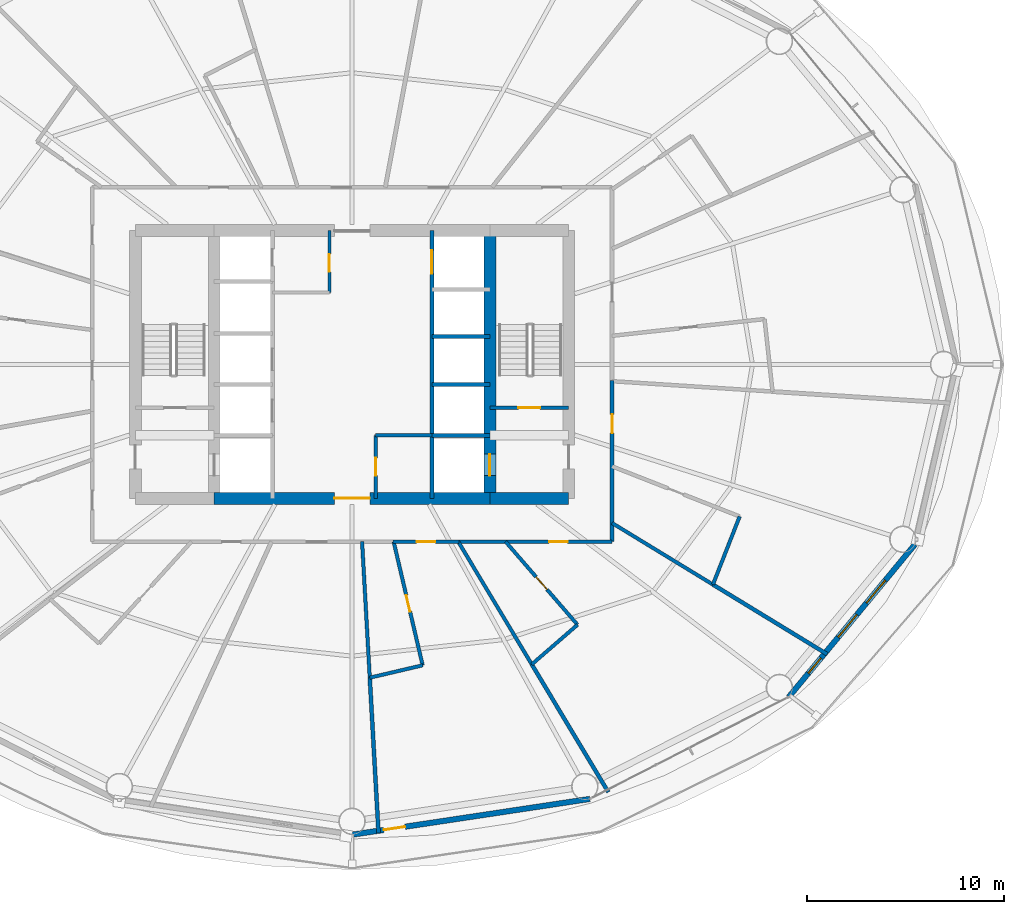
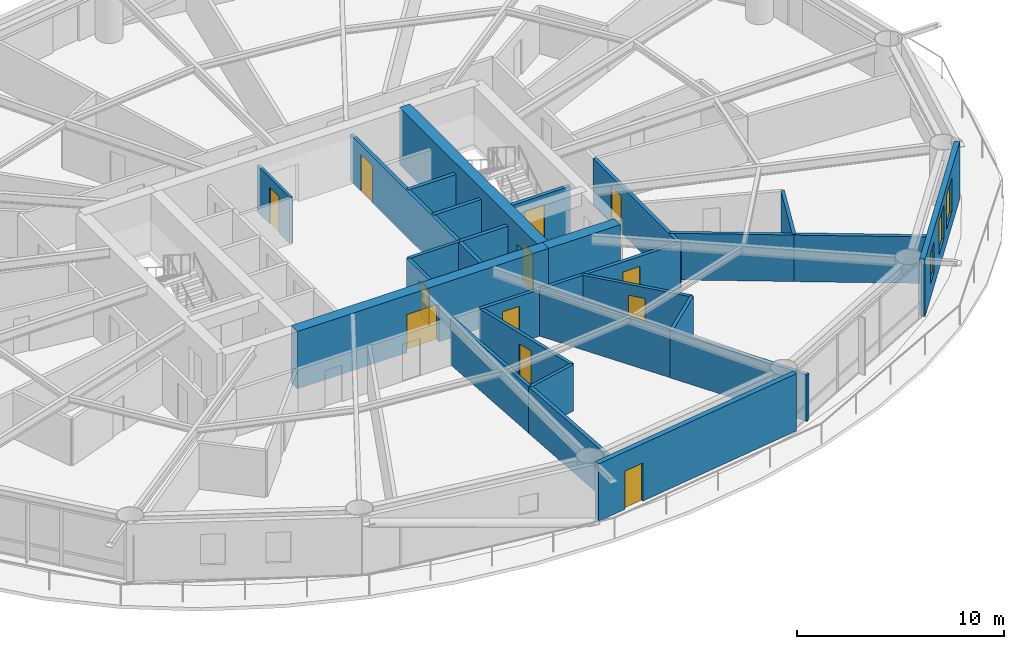
# One storey, part 21 of 26: 28 walls, 12 doors, 3 windows, 15 openings.
"""IFC4 building model written with IfcOpenShell, lengths in metres."""

from ifc_helpers import new_model, si_unit, direction, frame, frame_2d, origin, place, context, subcontext, project, spatial, rectangle, extrude, material, layer, layer_set, type_object, element, fill, save


model = new_model("IFC4")

# Units and contexts
model_context = context("Model", 3, precision=1e-05, world=origin(), true_north=direction((0.0, 1.0)))
body_context = subcontext(model_context, "Body", "Model", "MODEL_VIEW")
ifc_project = project(units=[si_unit("LENGTHUNIT", "METRE"), si_unit("AREAUNIT", "SQUARE_METRE"), si_unit("VOLUMEUNIT", "CUBIC_METRE"), si_unit("PLANEANGLEUNIT", "RADIAN"), si_unit("MASSUNIT", "GRAM", prefix="KILO")], contexts=[model_context])

# Site, building, storey
site_placement = place(None, origin())
site = spatial("IfcSite", under=ifc_project, at=site_placement, CompositionType="ELEMENT")
building_placement = place(site_placement, origin())
building = spatial("IfcBuilding", under=site, at=building_placement, Name="Sarneth Arch Tower", CompositionType="ELEMENT")
storey_placement = place(building_placement, frame((0.0, 0.0, 49.800048828125)))
storey = spatial("IfcBuildingStorey", under=building, at=storey_placement, Name="L11", CompositionType="ELEMENT", Elevation=49.800048828125)

# Wall, opening, door
ifc_material_1 = material(Name="Concrete C60/75", Category="concrete")
ifc_layer_1 = layer(ifc_material_1, 0.60009765625)
ifc_layer_set_1 = layer_set([ifc_layer_1], Name="Concrete C60/75")
wall_type_1 = type_object("IfcWallType", Name="WALL-CORE-600", PredefinedType="SHEAR", material=ifc_layer_set_1)
wall_1_placement = place(storey_placement, frame((41.0, 35.199951171875, 0.0), z_axis=(0.0, 0.0, 1.0), x_axis=(1.0, 0.0, 0.0)))
wall_1 = element("IfcWall", 1, at=wall_1_placement, inside=storey, type_object=wall_type_1, Name="L11 Core shear wall S-M", PredefinedType="SHEAR", context=body_context, shape_type="SweptSolid", body=[
    extrude(rectangle(XDim=14.0, YDim=0.60009765625, at=frame_2d((7.0, 0.0))), origin(), (0.0, 0.0, 1.0), 3.3798828125),
])
opening_1_placement = place(wall_1_placement, frame((6.10009765625, 0.0, 0.0)))
opening_1 = element("IfcOpeningElement", 2, at=opening_1_placement, cuts=wall_1, Name="Opening FD-01", PredefinedType="OPENING", context=body_context, shape_type="SweptSolid", body=[
    extrude(rectangle(XDim=1.800048828125, YDim=2.25, at=frame_2d((0.89990234375, 1.125))), frame((0.0, 0.31005859375, 0.0), z_axis=(0.0, -1.0, 0.0), x_axis=(1.0, 0.0, 0.0)), (0.0, 0.0, 1.0), 0.6201171875),
])
ifc_material_2 = material(Name="Galvanised Steel S275 fire door set", Category="steel")
door_type_1 = type_object("IfcDoorType", Name="DR-FD90-1800", OperationType="DOUBLE_DOOR_SINGLE_SWING", PredefinedType="DOOR", material=ifc_material_2)
door_1_placement = place(opening_1_placement, origin())
door_1 = element("IfcDoor", 3, at=door_1_placement, inside=storey, type_object=door_type_1, Name="L11 Central lift lobby south door", OperationType="DOUBLE_DOOR_SINGLE_SWING", OverallHeight=2.25, OverallWidth=1.800048828125, PredefinedType="DOOR", context=body_context, shape_type="SweptSolid", body=[
    extrude(rectangle(XDim=1.800048828125, YDim=2.25, at=frame_2d((0.89990234375, 1.125))), frame((0.0, 0.02490234375, 0.0), z_axis=(0.0, -1.0, 0.0), x_axis=(1.0, 0.0, 0.0)), (0.0, 0.0, 1.0), 0.050048828125),
])
fill(opening_1, door_1)

# Wall
wall_2_placement = place(storey_placement, frame((55.0, 35.199951171875, 0.0), z_axis=(0.0, 0.0, 1.0), x_axis=(1.0, 0.0, 0.0)))
element("IfcWall", 4, at=wall_2_placement, inside=storey, type_object=wall_type_1, Name="L11 Core shear wall S-E", PredefinedType="SHEAR", context=body_context, shape_type="SweptSolid", body=[
    extrude(rectangle(XDim=4.0, YDim=0.60009765625, at=frame_2d((2.0, 0.0))), origin(), (0.0, 0.0, 1.0), 3.3798828125),
])

# Wall, opening, door
wall_3_placement = place(storey_placement, frame((55.0, 35.199951171875, 0.0), z_axis=(0.0, 0.0, 1.0), x_axis=(0.0, 1.0, 0.0)))
wall_3 = element("IfcWall", 5, at=wall_3_placement, inside=storey, type_object=wall_type_1, Name="L11 Core shear wall WEB-E", PredefinedType="SHEAR", context=body_context, shape_type="SweptSolid", body=[
    extrude(rectangle(XDim=13.60009765625, YDim=0.60009765625, at=frame_2d((6.800048828125, 0.0))), origin(), (0.0, 0.0, 1.0), 3.3798828125),
])
opening_2_placement = place(wall_3_placement, frame((1.14990234375, 0.0, 0.0)))
opening_2 = element("IfcOpeningElement", 6, at=opening_2_placement, cuts=wall_3, Name="Opening LD-1", PredefinedType="OPENING", context=body_context, shape_type="SweptSolid", body=[
    extrude(rectangle(XDim=1.10009765625, YDim=2.199951171875, at=frame_2d((0.550048828125, 1.10009765625))), frame((0.0, 0.31005859375, 0.0), z_axis=(0.0, -1.0, 0.0), x_axis=(1.0, 0.0, 0.0)), (0.0, 0.0, 1.0), 0.6201171875),
])
ifc_material_3 = material(Name="Brushed Stainless Steel 304 lift landing door", Category="steel")
door_type_2 = type_object("IfcDoorType", Name="DR-LIFT-SLIDE-1100", OperationType="SLIDING_TO_LEFT", PredefinedType="DOOR", material=ifc_material_3)
door_2_placement = place(opening_2_placement, origin())
door_2 = element("IfcDoor", 7, at=door_2_placement, inside=storey, type_object=door_type_2, Name="L11 Firefighting lift landing door FL-2", OperationType="SLIDING_TO_RIGHT", OverallHeight=2.199951171875, OverallWidth=1.10009765625, PredefinedType="DOOR", context=body_context, shape_type="SweptSolid", body=[
    extrude(rectangle(XDim=1.10009765625, YDim=2.199951171875, at=frame_2d((0.550048828125, 1.10009765625))), frame((0.0, 0.02490234375, 0.0), z_axis=(0.0, -1.0, 0.0), x_axis=(1.0, 0.0, 0.0)), (0.0, 0.0, 1.0), 0.050048828125),
])
fill(opening_2, door_2)

ifc_material_4 = material(Name="Double steel-stud corridor fire wall", Category="steel")
ifc_layer_2 = layer(ifc_material_4, 0.18994140625)
ifc_layer_set_2 = layer_set([ifc_layer_2], Name="Double steel-stud corridor fire wall")
wall_type_2 = type_object("IfcWallType", Name="WALL-CORR-190", PredefinedType="PARTITIONING", material=ifc_layer_set_2)
wall_4_placement = place(storey_placement, frame((61.199951171875, 33.0, 0.0), z_axis=(0.0, 0.0, 1.0), x_axis=(-1.0, 0.0, 0.0)))
wall_4 = element("IfcWall", 8, at=wall_4_placement, inside=storey, type_object=wall_type_2, Name="L11 Interior partition W-L11-TP-022", PredefinedType="PARTITIONING", context=body_context, shape_type="SweptSolid", body=[
    extrude(rectangle(XDim=7.845947265625, YDim=0.18994140625, at=frame_2d((3.9228515625, 0.0))), origin(), (0.0, 0.0, 1.0), 2.739990234375),
])
opening_3_placement = place(wall_4_placement, frame((2.249267578125, 0.0, 0.0)))
opening_3 = element("IfcOpeningElement", 9, at=opening_3_placement, cuts=wall_4, Name="Opening FD-09", PredefinedType="OPENING", context=body_context, shape_type="SweptSolid", body=[
    extrude(rectangle(XDim=0.949951171875, YDim=2.14990234375, at=frame_2d((0.47509765625, 1.074951171875))), frame((0.0, 0.10498046875, 0.0), z_axis=(0.0, -1.0, 0.0), x_axis=(1.0, 0.0, 0.0)), (0.0, 0.0, 1.0), 0.2099609375),
])
ifc_material_5 = material(Name="Hardwood timber hotel entrance fire door", Category="wood")
door_type_3 = type_object("IfcDoorType", Name="DR-FD60-950", OperationType="SINGLE_SWING_RIGHT", PredefinedType="DOOR", material=ifc_material_5)
door_3_placement = place(opening_3_placement, origin())
door_3 = element("IfcDoor", 10, at=door_3_placement, inside=storey, type_object=door_type_3, Name="L11 Interior door DR-L11-KEY-11", OperationType="SINGLE_SWING_LEFT", OverallHeight=2.14990234375, OverallWidth=0.949951171875, PredefinedType="DOOR", context=body_context, shape_type="SweptSolid", body=[
    extrude(rectangle(XDim=0.949951171875, YDim=2.14990234375, at=frame_2d((0.47509765625, 1.074951171875))), frame((0.0, 0.02490234375, 0.0), z_axis=(0.0, -1.0, 0.0), x_axis=(1.0, 0.0, 0.0)), (0.0, 0.0, 1.0), 0.050048828125),
])
fill(opening_3, door_3)

wall_5_placement = place(storey_placement, frame((61.199951171875, 41.180419921875, 0.0), z_axis=(0.0, 0.0, 1.0), x_axis=(0.0, -1.0, 0.0)))
wall_5 = element("IfcWall", 11, at=wall_5_placement, inside=storey, type_object=wall_type_2, Name="L11 Interior partition W-L11-TP-024", PredefinedType="PARTITIONING", context=body_context, shape_type="SweptSolid", body=[
    extrude(rectangle(XDim=8.180419921875, YDim=0.18994140625, at=frame_2d((4.09033203125, 0.0))), origin(), (0.0, 0.0, 1.0), 2.739990234375),
])
opening_4_placement = place(wall_5_placement, frame((1.720947265625, 0.0, 0.0)))
opening_4 = element("IfcOpeningElement", 12, at=opening_4_placement, cuts=wall_5, Name="Opening FD-09", PredefinedType="OPENING", context=body_context, shape_type="SweptSolid", body=[
    extrude(rectangle(XDim=0.949951171875, YDim=2.14990234375, at=frame_2d((0.47509765625, 1.074951171875))), frame((0.0, 0.10498046875, 0.0), z_axis=(0.0, -1.0, 0.0), x_axis=(1.0, 0.0, 0.0)), (0.0, 0.0, 1.0), 0.2099609375),
])
door_4_placement = place(opening_4_placement, origin())
door_4 = element("IfcDoor", 13, at=door_4_placement, inside=storey, type_object=door_type_3, Name="L11 Interior door DR-L11-KEY-12", OperationType="SINGLE_SWING_RIGHT", OverallHeight=2.14990234375, OverallWidth=0.949951171875, PredefinedType="DOOR", context=body_context, shape_type="SweptSolid", body=[
    extrude(rectangle(XDim=0.949951171875, YDim=2.14990234375, at=frame_2d((0.47509765625, 1.074951171875))), frame((0.0, 0.02490234375, 0.0), z_axis=(0.0, -1.0, 0.0), x_axis=(1.0, 0.0, 0.0)), (0.0, 0.0, 1.0), 0.050048828125),
])
fill(opening_4, door_4)

wall_6_placement = place(storey_placement, frame((53.4287109375, 33.0, 0.0), z_axis=(0.0, 0.0, 1.0), x_axis=(-1.0, 0.0, 0.0)))
wall_6 = element("IfcWall", 14, at=wall_6_placement, inside=storey, type_object=wall_type_2, Name="L11 Interior partition W-L11-TP-019", PredefinedType="PARTITIONING", context=body_context, shape_type="SweptSolid", body=[
    extrude(rectangle(XDim=3.350830078125, YDim=0.18994140625, at=frame_2d((1.67529296875, 0.0))), origin(), (0.0, 0.0, 1.0), 2.739990234375),
])
opening_5_placement = place(wall_6_placement, frame((1.2001953125, 0.0, 0.0)))
opening_5 = element("IfcOpeningElement", 15, at=opening_5_placement, cuts=wall_6, Name="Opening FD-09", PredefinedType="OPENING", context=body_context, shape_type="SweptSolid", body=[
    extrude(rectangle(XDim=0.949951171875, YDim=2.14990234375, at=frame_2d((0.47509765625, 1.074951171875))), frame((0.0, 0.10498046875, 0.0), z_axis=(0.0, -1.0, 0.0), x_axis=(1.0, 0.0, 0.0)), (0.0, 0.0, 1.0), 0.2099609375),
])
door_5_placement = place(opening_5_placement, origin())
door_5 = element("IfcDoor", 16, at=door_5_placement, inside=storey, type_object=door_type_3, Name="L11 Interior door DR-L11-KEY-10", OperationType="SINGLE_SWING_LEFT", OverallHeight=2.14990234375, OverallWidth=0.949951171875, PredefinedType="DOOR", context=body_context, shape_type="SweptSolid", body=[
    extrude(rectangle(XDim=0.949951171875, YDim=2.14990234375, at=frame_2d((0.47509765625, 1.074951171875))), frame((0.0, 0.02490234375, 0.0), z_axis=(0.0, -1.0, 0.0), x_axis=(1.0, 0.0, 0.0)), (0.0, 0.0, 1.0), 0.050048828125),
])
fill(opening_5, door_5)

ifc_material_6 = material(Name="Extruded terracotta rainscreen on Concrete C40/50 backing", Category="masonry")
ifc_layer_3 = layer(ifc_material_6, 0.280029296875)
ifc_layer_set_3 = layer_set([ifc_layer_3], Name="Extruded terracotta rainscreen on Concrete C40/50 backing")
wall_type_3 = type_object("IfcWallType", Name="WALL-EXT-TERRA-280", PredefinedType="SOLIDWALL", material=ifc_layer_set_3)
wall_7_placement = place(storey_placement, frame((48.0, 18.1201171875, 0.0), z_axis=(0.0, 0.0, 1.0), x_axis=(0.988864835849, 0.148816452121, 0.0)))
wall_7 = element("IfcWall", 17, at=wall_7_placement, inside=storey, type_object=wall_type_3, Name="L11 Terracotta perimeter wall 13", PredefinedType="SOLIDWALL", context=body_context, shape_type="SweptSolid", body=[
    extrude(rectangle(XDim=12.2138671875, YDim=0.280029296875, at=frame_2d((6.10693359375, 0.0))), origin(), (0.0, 0.0, 1.0), 3.3798828125),
])
opening_6_placement = place(wall_7_placement, frame((1.62060546875, 0.0, 0.0)))
opening_6 = element("IfcOpeningElement", 18, at=opening_6_placement, cuts=wall_7, Name="Opening BD-3", PredefinedType="OPENING", context=body_context, shape_type="SweptSolid", body=[
    extrude(rectangle(XDim=1.10009765625, YDim=2.25, at=frame_2d((0.550048828125, 1.125))), frame((0.0, 0.14990234375, 0.0), z_axis=(0.0, -1.0, 0.0), x_axis=(1.0, 0.0, 0.0)), (0.0, 0.0, 1.0), 0.300048828125),
])
ifc_material_7 = material(Name="Thermally broken Aluminium 6063-T6 and laminated safety glass", Category="aluminium")
door_type_4 = type_object("IfcDoorType", Name="DR-BALC-GLZ-1100", OperationType="SINGLE_SWING_LEFT", PredefinedType="DOOR", material=ifc_material_7)
door_6_placement = place(opening_6_placement, origin())
door_6 = element("IfcDoor", 19, at=door_6_placement, inside=storey, type_object=door_type_4, Name="L11 Balcony glazed door 13", OperationType="SINGLE_SWING_LEFT", OverallHeight=2.25, OverallWidth=1.10009765625, PredefinedType="DOOR", context=body_context, shape_type="SweptSolid", body=[
    extrude(rectangle(XDim=1.10009765625, YDim=2.25, at=frame_2d((0.550048828125, 1.125))), frame((0.0, 0.02490234375, 0.0), z_axis=(0.0, -1.0, 0.0), x_axis=(1.0, 0.0, 0.0)), (0.0, 0.0, 1.0), 0.050048828125),
])
fill(opening_6, door_6)

# Wall, openings, windows
wall_8_placement = place(storey_placement, frame((70.174072265625, 25.1142578125, 0.0), z_axis=(0.0, 0.0, 1.0), x_axis=(0.637296809613, 0.770618437657, 0.0)))
wall_8 = element("IfcWall", 20, at=wall_8_placement, inside=storey, type_object=wall_type_3, Name="L11 Terracotta perimeter wall 15", PredefinedType="SOLIDWALL", context=body_context, shape_type="SweptSolid", body=[
    extrude(rectangle(XDim=10.053466796875, YDim=0.280029296875, at=frame_2d((5.02685546875, 0.0))), origin(), (0.0, 0.0, 1.0), 3.3798828125),
])
opening_7_placement = place(wall_8_placement, frame((1.565185546875, 0.0, 0.85009765625)))
opening_7 = element("IfcOpeningElement", 21, at=opening_7_placement, cuts=wall_8, Name="Opening W-11", PredefinedType="OPENING", context=body_context, shape_type="SweptSolid", body=[
    extrude(rectangle(XDim=1.0, YDim=1.800048828125, at=frame_2d((0.5, 0.89990234375))), frame((0.0, 0.14990234375, 0.0), z_axis=(0.0, -1.0, 0.0), x_axis=(1.0, 0.0, 0.0)), (0.0, 0.0, 1.0), 0.300048828125),
])
opening_8_placement = place(wall_8_placement, frame((3.929931640625, 0.0, 0.85009765625)))
opening_8 = element("IfcOpeningElement", 22, at=opening_8_placement, cuts=wall_8, Name="Opening W-06", PredefinedType="OPENING", context=body_context, shape_type="SweptSolid", body=[
    extrude(rectangle(XDim=1.5, YDim=2.0, at=frame_2d((0.75, 1.0))), frame((0.0, 0.14990234375, 0.0), z_axis=(0.0, -1.0, 0.0), x_axis=(1.0, 0.0, 0.0)), (0.0, 0.0, 1.0), 0.300048828125),
])
opening_9_placement = place(wall_8_placement, frame((6.19580078125, 0.0, 0.85009765625)))
opening_9 = element("IfcOpeningElement", 23, at=opening_9_placement, cuts=wall_8, Name="Opening W-06", PredefinedType="OPENING", context=body_context, shape_type="SweptSolid", body=[
    extrude(rectangle(XDim=1.5, YDim=2.0, at=frame_2d((0.75, 1.0))), frame((0.0, 0.14990234375, 0.0), z_axis=(0.0, -1.0, 0.0), x_axis=(1.0, 0.0, 0.0)), (0.0, 0.0, 1.0), 0.300048828125),
])
ifc_material_8 = material(Name="Thermally broken Aluminium 6063-T6 and low-e laminated IGU", Category="aluminium")
window_type_1 = type_object("IfcWindowType", Name="WIN-TWR-1000x1800", PartitioningType="SINGLE_PANEL", PredefinedType="WINDOW", material=ifc_material_8)
window_1_placement = place(opening_7_placement, origin())
window_1 = element("IfcWindow", 24, at=window_1_placement, inside=storey, type_object=window_type_1, Name="L11 Exterior window 15A", OverallHeight=1.800048828125, OverallWidth=1.0, PartitioningType="SINGLE_PANEL", PredefinedType="WINDOW", context=body_context, shape_type="SweptSolid", body=[
    extrude(rectangle(XDim=1.0, YDim=1.800048828125, at=frame_2d((0.5, 0.89990234375))), frame((0.0, 0.030029296875, 0.0), z_axis=(0.0, -1.0, 0.0), x_axis=(1.0, 0.0, 0.0)), (0.0, 0.0, 1.0), 0.06005859375),
])
fill(opening_7, window_1)
ifc_material_9 = material(Name="Thermally broken Aluminium 6063-T6 and low-e laminated IGU", Category="aluminium")
window_type_2 = type_object("IfcWindowType", Name="WIN-TWR-1500x2000", PartitioningType="SINGLE_PANEL", PredefinedType="WINDOW", material=ifc_material_9)
window_2_placement = place(opening_8_placement, origin())
window_2 = element("IfcWindow", 25, at=window_2_placement, inside=storey, type_object=window_type_2, Name="L11 Exterior window 15B", OverallHeight=2.0, OverallWidth=1.5, PartitioningType="SINGLE_PANEL", PredefinedType="WINDOW", context=body_context, shape_type="SweptSolid", body=[
    extrude(rectangle(XDim=1.5, YDim=2.0, at=frame_2d((0.75, 1.0))), frame((0.0, 0.030029296875, 0.0), z_axis=(0.0, -1.0, 0.0), x_axis=(1.0, 0.0, 0.0)), (0.0, 0.0, 1.0), 0.06005859375),
])
fill(opening_8, window_2)
window_3_placement = place(opening_9_placement, origin())
window_3 = element("IfcWindow", 26, at=window_3_placement, inside=storey, type_object=window_type_2, Name="L11 Exterior window 15C", OverallHeight=2.0, OverallWidth=1.5, PartitioningType="SINGLE_PANEL", PredefinedType="WINDOW", context=body_context, shape_type="SweptSolid", body=[
    extrude(rectangle(XDim=1.5, YDim=2.0, at=frame_2d((0.75, 1.0))), frame((0.0, 0.030029296875, 0.0), z_axis=(0.0, -1.0, 0.0), x_axis=(1.0, 0.0, 0.0)), (0.0, 0.0, 1.0), 0.06005859375),
])
fill(opening_9, window_3)

# Wall, opening, door
ifc_material_10 = material(Name="Acoustic gypsum stud partition", Category="gypsum")
ifc_layer_4 = layer(ifc_material_10, 0.14990234375)
ifc_layer_set_4 = layer_set([ifc_layer_4], Name="Acoustic gypsum stud partition")
wall_type_4 = type_object("IfcWallType", Name="WALL-PART-150", PredefinedType="PARTITIONING", material=ifc_layer_set_4)
wall_9_placement = place(storey_placement, frame((46.85009765625, 45.64990234375, 0.0), z_axis=(0.0, 0.0, 1.0), x_axis=(0.0, 1.0, 0.0)))
wall_9 = element("IfcWall", 27, at=wall_9_placement, inside=storey, type_object=wall_type_4, Name="L11 Interior partition W-L11-CSUP1-E", PredefinedType="PARTITIONING", context=body_context, shape_type="SweptSolid", body=[
    extrude(rectangle(XDim=3.150146484375, YDim=0.14990234375, at=frame_2d((1.5751953125, 0.0))), origin(), (0.0, 0.0, 1.0), 2.739990234375),
])
opening_10_placement = place(wall_9_placement, frame((1.050048828125, 0.0, 0.0)))
opening_10 = element("IfcOpeningElement", 28, at=opening_10_placement, cuts=wall_9, Name="Opening FD-10", PredefinedType="OPENING", context=body_context, shape_type="SweptSolid", body=[
    extrude(rectangle(XDim=0.89990234375, YDim=2.14990234375, at=frame_2d((0.449951171875, 1.074951171875))), frame((0.0, 0.0849609375, 0.0), z_axis=(0.0, -1.0, 0.0), x_axis=(1.0, 0.0, 0.0)), (0.0, 0.0, 1.0), 0.169921875),
])
ifc_material_11 = material(Name="Galvanised Steel S275 riser/service fire door", Category="steel")
door_type_5 = type_object("IfcDoorType", Name="DR-FD60-900", OperationType="SINGLE_SWING_LEFT", PredefinedType="DOOR", material=ifc_material_11)
door_7_placement = place(opening_10_placement, origin())
door_7 = element("IfcDoor", 29, at=door_7_placement, inside=storey, type_object=door_type_5, Name="L11 Interior door DR-L11-CSUP1", OperationType="SINGLE_SWING_LEFT", OverallHeight=2.14990234375, OverallWidth=0.89990234375, PredefinedType="DOOR", context=body_context, shape_type="SweptSolid", body=[
    extrude(rectangle(XDim=0.89990234375, YDim=2.14990234375, at=frame_2d((0.449951171875, 1.074951171875))), frame((0.0, 0.02490234375, 0.0), z_axis=(0.0, -1.0, 0.0), x_axis=(1.0, 0.0, 0.0)), (0.0, 0.0, 1.0), 0.050048828125),
])
fill(opening_10, door_7)

# Wall
ifc_material_12 = material(Name="Moisture-resistant plumbing chase wall", Category="gypsum")
ifc_layer_5 = layer(ifc_material_12, 0.179931640625)
ifc_layer_set_5 = layer_set([ifc_layer_5], Name="Moisture-resistant plumbing chase wall")
wall_type_5 = type_object("IfcWallType", Name="WALL-PLUMB-180", PredefinedType="PLUMBINGWALL", material=ifc_layer_set_5)
wall_10_placement = place(storey_placement, frame((49.199951171875, 38.39990234375, 0.0), z_axis=(0.0, 0.0, 1.0), x_axis=(1.0, 0.0, 0.0)))
element("IfcWall", 30, at=wall_10_placement, inside=storey, type_object=wall_type_5, Name="L11 Interior partition W-L11-AWC-N", PredefinedType="PLUMBINGWALL", context=body_context, shape_type="SweptSolid", body=[
    extrude(rectangle(XDim=2.85009765625, YDim=0.179931640625, at=frame_2d((1.425048828125, 0.0))), origin(), (0.0, 0.0, 1.0), 2.739990234375),
])

# Wall, opening, door
wall_11_placement = place(storey_placement, frame((49.199951171875, 35.199951171875, 0.0), z_axis=(0.0, 0.0, 1.0), x_axis=(0.0, 1.0, 0.0)))
wall_11 = element("IfcWall", 31, at=wall_11_placement, inside=storey, type_object=wall_type_5, Name="L11 Interior partition W-L11-AWC-W", PredefinedType="PLUMBINGWALL", context=body_context, shape_type="SweptSolid", body=[
    extrude(rectangle(XDim=3.199951171875, YDim=0.179931640625, at=frame_2d((1.60009765625, 0.0))), origin(), (0.0, 0.0, 1.0), 2.739990234375),
])
opening_11_placement = place(wall_11_placement, frame((1.14990234375, 0.0, 0.0)))
opening_11 = element("IfcOpeningElement", 32, at=opening_11_placement, cuts=wall_11, Name="Opening ID-01", PredefinedType="OPENING", context=body_context, shape_type="SweptSolid", body=[
    extrude(rectangle(XDim=0.89990234375, YDim=2.10009765625, at=frame_2d((0.449951171875, 1.050048828125))), frame((0.0, 0.099853515625, 0.0), z_axis=(0.0, -1.0, 0.0), x_axis=(1.0, 0.0, 0.0)), (0.0, 0.0, 1.0), 0.199951171875),
])
ifc_material_13 = material(Name="Engineered hardwood flush door", Category="wood")
door_type_6 = type_object("IfcDoorType", Name="DR-INT-900", OperationType="SINGLE_SWING_LEFT", PredefinedType="DOOR", material=ifc_material_13)
door_8_placement = place(opening_11_placement, origin())
door_8 = element("IfcDoor", 33, at=door_8_placement, inside=storey, type_object=door_type_6, Name="L11 Interior door DR-L11-AWC", OperationType="SINGLE_SWING_RIGHT", OverallHeight=2.10009765625, OverallWidth=0.89990234375, PredefinedType="DOOR", context=body_context, shape_type="SweptSolid", body=[
    extrude(rectangle(XDim=0.89990234375, YDim=2.10009765625, at=frame_2d((0.449951171875, 1.050048828125))), frame((0.0, 0.02490234375, 0.0), z_axis=(0.0, -1.0, 0.0), x_axis=(1.0, 0.0, 0.0)), (0.0, 0.0, 1.0), 0.050048828125),
])
fill(opening_11, door_8)

# Walls
wall_12_placement = place(storey_placement, frame((57.123779296875, 26.76904296875, 0.0), z_axis=(0.0, 0.0, 1.0), x_axis=(-0.513872793929, 0.857866394994, 0.0)))
element("IfcWall", 34, at=wall_12_placement, inside=storey, type_object=wall_type_5, Name="L11 Interior partition W-L11-TP-060", PredefinedType="PLUMBINGWALL", context=body_context, shape_type="SweptSolid", body=[
    extrude(rectangle(XDim=7.263427734375, YDim=0.179931640625, at=frame_2d((3.6318359375, 0.0))), origin(), (0.0, 0.0, 1.0), 2.739990234375),
])
wall_13_placement = place(storey_placement, frame((48.89794921875, 26.09228515625, 0.0), z_axis=(0.0, 0.0, 1.0), x_axis=(-0.056353367692, 0.998410886334, 0.0)))
element("IfcWall", 35, at=wall_13_placement, inside=storey, type_object=wall_type_5, Name="L11 Interior partition W-L11-TP-056", PredefinedType="PLUMBINGWALL", context=body_context, shape_type="SweptSolid", body=[
    extrude(rectangle(XDim=6.918701171875, YDim=0.179931640625, at=frame_2d((3.45947265625, 0.0))), origin(), (0.0, 0.0, 1.0), 2.739990234375),
])

# Wall, opening, door
wall_14_placement = place(storey_placement, frame((50.11083984375, 33.0, 0.0), z_axis=(0.0, 0.0, 1.0), x_axis=(0.228380862789, -0.973571867666, 0.0)))
wall_14 = element("IfcWall", 36, at=wall_14_placement, inside=storey, type_object=wall_type_5, Name="L11 Interior partition W-L11-TP-057", PredefinedType="PLUMBINGWALL", context=body_context, shape_type="SweptSolid", body=[
    extrude(rectangle(XDim=6.4482421875, YDim=0.179931640625, at=frame_2d((3.22412109375, 0.0))), origin(), (0.0, 0.0, 1.0), 2.739990234375),
])
opening_12_placement = place(wall_14_placement, frame((2.799072265625, 0.0, 0.0)))
opening_12 = element("IfcOpeningElement", 37, at=opening_12_placement, cuts=wall_14, Name="Opening ID-02", PredefinedType="OPENING", context=body_context, shape_type="SweptSolid", body=[
    extrude(rectangle(XDim=0.85009765625, YDim=2.10009765625, at=frame_2d((0.425048828125, 1.050048828125))), frame((0.0, 0.099853515625, 0.0), z_axis=(0.0, -1.0, 0.0), x_axis=(1.0, 0.0, 0.0)), (0.0, 0.0, 1.0), 0.199951171875),
])
ifc_material_14 = material(Name="Moisture-resistant bathroom timber door", Category="wood")
door_type_7 = type_object("IfcDoorType", Name="DR-INT-850", OperationType="SINGLE_SWING_RIGHT", PredefinedType="DOOR", material=ifc_material_14)
door_9_placement = place(opening_12_placement, origin())
door_9 = element("IfcDoor", 38, at=door_9_placement, inside=storey, type_object=door_type_7, Name="L11 Interior door DR-L11-ENS-10", OperationType="SINGLE_SWING_LEFT", OverallHeight=2.10009765625, OverallWidth=0.85009765625, PredefinedType="DOOR", context=body_context, shape_type="SweptSolid", body=[
    extrude(rectangle(XDim=0.85009765625, YDim=2.10009765625, at=frame_2d((0.425048828125, 1.050048828125))), frame((0.0, 0.02490234375, 0.0), z_axis=(0.0, -1.0, 0.0), x_axis=(1.0, 0.0, 0.0)), (0.0, 0.0, 1.0), 0.050048828125),
])
fill(opening_12, door_9)

# Wall
wall_15_placement = place(storey_placement, frame((66.323486328125, 30.822021484375, 0.0), z_axis=(0.0, 0.0, 1.0), x_axis=(-0.853693843866, 0.52077521153, 0.0)))
element("IfcWall", 39, at=wall_15_placement, inside=storey, type_object=wall_type_5, Name="L11 Interior partition W-L11-TP-064", PredefinedType="PLUMBINGWALL", context=body_context, shape_type="SweptSolid", body=[
    extrude(rectangle(XDim=6.001708984375, YDim=0.179931640625, at=frame_2d((3.0009765625, 0.0))), origin(), (0.0, 0.0, 1.0), 2.739990234375),
])

# Wall, opening, door
wall_16_placement = place(storey_placement, frame((55.7939453125, 33.0, 0.0), z_axis=(0.0, 0.0, 1.0), x_axis=(0.654630697525, -0.755948840767, 0.0)))
wall_16 = element("IfcWall", 40, at=wall_16_placement, inside=storey, type_object=wall_type_5, Name="L11 Interior partition W-L11-TP-061", PredefinedType="PLUMBINGWALL", context=body_context, shape_type="SweptSolid", body=[
    extrude(rectangle(XDim=5.580810546875, YDim=0.179931640625, at=frame_2d((2.79052734375, 0.0))), origin(), (0.0, 0.0, 1.0), 2.739990234375),
])
opening_13_placement = place(wall_16_placement, frame((2.365478515625, 0.0, 0.0)))
opening_13 = element("IfcOpeningElement", 41, at=opening_13_placement, cuts=wall_16, Name="Opening ID-02", PredefinedType="OPENING", context=body_context, shape_type="SweptSolid", body=[
    extrude(rectangle(XDim=0.85009765625, YDim=2.10009765625, at=frame_2d((0.425048828125, 1.050048828125))), frame((0.0, 0.099853515625, 0.0), z_axis=(0.0, -1.0, 0.0), x_axis=(1.0, 0.0, 0.0)), (0.0, 0.0, 1.0), 0.199951171875),
])
door_10_placement = place(opening_13_placement, origin())
door_10 = element("IfcDoor", 42, at=door_10_placement, inside=storey, type_object=door_type_7, Name="L11 Interior door DR-L11-ENS-11", OperationType="SINGLE_SWING_LEFT", OverallHeight=2.10009765625, OverallWidth=0.85009765625, PredefinedType="DOOR", context=body_context, shape_type="SweptSolid", body=[
    extrude(rectangle(XDim=0.85009765625, YDim=2.10009765625, at=frame_2d((0.425048828125, 1.050048828125))), frame((0.0, 0.02490234375, 0.0), z_axis=(0.0, -1.0, 0.0), x_axis=(1.0, 0.0, 0.0)), (0.0, 0.0, 1.0), 0.050048828125),
])
fill(opening_13, door_10)

# Walls
wall_17_placement = place(storey_placement, frame((67.680419921875, 34.28125, 0.0), z_axis=(0.0, 0.0, 1.0), x_axis=(-0.365174619735, -0.930939040486, 0.0)))
element("IfcWall", 43, at=wall_17_placement, inside=storey, type_object=wall_type_5, Name="L11 Interior partition W-L11-TP-066", PredefinedType="PLUMBINGWALL", context=body_context, shape_type="SweptSolid", body=[
    extrude(rectangle(XDim=3.7158203125, YDim=0.179931640625, at=frame_2d((1.85791015625, 0.0))), origin(), (0.0, 0.0, 1.0), 2.739990234375),
])
wall_18_placement = place(storey_placement, frame((59.447265625, 28.78125, 0.0), z_axis=(0.0, 0.0, 1.0), x_axis=(-0.755927521829, -0.654655315217, 0.0)))
element("IfcWall", 44, at=wall_18_placement, inside=storey, type_object=wall_type_5, Name="L11 Interior partition W-L11-TP-062", PredefinedType="PLUMBINGWALL", context=body_context, shape_type="SweptSolid", body=[
    extrude(rectangle(XDim=3.07373046875, YDim=0.179931640625, at=frame_2d((1.536865234375, 0.0))), origin(), (0.0, 0.0, 1.0), 2.739990234375),
])
wall_19_placement = place(storey_placement, frame((51.58349609375, 26.72216796875, 0.0), z_axis=(0.0, 0.0, 1.0), x_axis=(-0.973579428385, -0.228348629567, 0.0)))
element("IfcWall", 45, at=wall_19_placement, inside=storey, type_object=wall_type_5, Name="L11 Interior partition W-L11-TP-058", PredefinedType="PLUMBINGWALL", context=body_context, shape_type="SweptSolid", body=[
    extrude(rectangle(XDim=2.758544921875, YDim=0.179931640625, at=frame_2d((1.37939453125, 0.0))), origin(), (0.0, 0.0, 1.0), 2.739990234375),
])

# Wall, opening, door
ifc_material_15 = material(Name="Aerated concrete blockwork C25/30", Category="masonry")
ifc_layer_6 = layer(ifc_material_15, 0.199951171875)
ifc_layer_set_6 = layer_set([ifc_layer_6], Name="Aerated concrete blockwork C25/30")
wall_type_6 = type_object("IfcWallType", Name="WALL-SHAFT-200", PredefinedType="SOLIDWALL", material=ifc_layer_set_6)
wall_20_placement = place(storey_placement, frame((55.0, 39.800048828125, 0.0), z_axis=(0.0, 0.0, 1.0), x_axis=(1.0, 0.0, 0.0)))
wall_20 = element("IfcWall", 46, at=wall_20_placement, inside=storey, type_object=wall_type_6, Name="L11 Interior partition W-L11-ST2-S", PredefinedType="SOLIDWALL", context=body_context, shape_type="SweptSolid", body=[
    extrude(rectangle(XDim=4.0, YDim=0.199951171875, at=frame_2d((2.0, 0.0))), origin(), (0.0, 0.0, 1.0), 2.739990234375),
])
opening_14_placement = place(wall_20_placement, frame((1.449951171875, 0.0, 0.0)))
opening_14 = element("IfcOpeningElement", 47, at=opening_14_placement, cuts=wall_20, Name="Opening FD-03", PredefinedType="OPENING", context=body_context, shape_type="SweptSolid", body=[
    extrude(rectangle(XDim=1.10009765625, YDim=2.14990234375, at=frame_2d((0.550048828125, 1.074951171875))), frame((0.0, 0.10986328125, 0.0), z_axis=(0.0, -1.0, 0.0), x_axis=(1.0, 0.0, 0.0)), (0.0, 0.0, 1.0), 0.219970703125),
])
ifc_material_16 = material(Name="Galvanised Steel S275 fire door set", Category="steel")
door_type_8 = type_object("IfcDoorType", Name="DR-FD90-1100", OperationType="SINGLE_SWING_LEFT", PredefinedType="DOOR", material=ifc_material_16)
door_11_placement = place(opening_14_placement, origin())
door_11 = element("IfcDoor", 48, at=door_11_placement, inside=storey, type_object=door_type_8, Name="L11 Interior door DR-L11-ST2", OperationType="SINGLE_SWING_RIGHT", OverallHeight=2.14990234375, OverallWidth=1.10009765625, PredefinedType="DOOR", context=body_context, shape_type="SweptSolid", body=[
    extrude(rectangle(XDim=1.10009765625, YDim=2.14990234375, at=frame_2d((0.550048828125, 1.074951171875))), frame((0.0, 0.02490234375, 0.0), z_axis=(0.0, -1.0, 0.0), x_axis=(1.0, 0.0, 0.0)), (0.0, 0.0, 1.0), 0.050048828125),
])
fill(opening_14, door_11)

# Walls
wall_21_placement = place(storey_placement, frame((52.050048828125, 35.199951171875, 0.0), z_axis=(0.0, 0.0, 1.0), x_axis=(0.0, 1.0, 0.0)))
element("IfcWall", 49, at=wall_21_placement, inside=storey, type_object=wall_type_6, Name="L11 Interior partition W-L11-FL2-W", PredefinedType="SOLIDWALL", context=body_context, shape_type="SweptSolid", body=[
    extrude(rectangle(XDim=3.199951171875, YDim=0.199951171875, at=frame_2d((1.60009765625, 0.0))), origin(), (0.0, 0.0, 1.0), 2.739990234375),
])
wall_22_placement = place(storey_placement, frame((52.050048828125, 38.39990234375, 0.0), z_axis=(0.0, 0.0, 1.0), x_axis=(1.0, 0.0, 0.0)))
element("IfcWall", 50, at=wall_22_placement, inside=storey, type_object=wall_type_6, Name="L11 Interior partition W-L11-FL2-N", PredefinedType="SOLIDWALL", context=body_context, shape_type="SweptSolid", body=[
    extrude(rectangle(XDim=2.949951171875, YDim=0.199951171875, at=frame_2d((1.47509765625, 0.0))), origin(), (0.0, 0.0, 1.0), 2.739990234375),
])

# Wall, opening, door
wall_23_placement = place(storey_placement, frame((52.050048828125, 38.39990234375, 0.0), z_axis=(0.0, 0.0, 1.0), x_axis=(0.0, 1.0, 0.0)))
wall_23 = element("IfcWall", 51, at=wall_23_placement, inside=storey, type_object=wall_type_6, Name="L11 Interior partition W-L11-EASTBANK-FRONT", PredefinedType="SOLIDWALL", context=body_context, shape_type="SweptSolid", body=[
    extrude(rectangle(XDim=10.400146484375, YDim=0.199951171875, at=frame_2d((5.2001953125, 0.0))), origin(), (0.0, 0.0, 1.0), 2.739990234375),
])
opening_15_placement = place(wall_23_placement, frame((8.199951171875, 0.0, 0.0)))
opening_15 = element("IfcOpeningElement", 52, at=opening_15_placement, cuts=wall_23, Name="Opening LD-2", PredefinedType="OPENING", context=body_context, shape_type="SweptSolid", body=[
    extrude(rectangle(XDim=1.199951171875, YDim=2.199951171875, at=frame_2d((0.60009765625, 1.10009765625))), frame((0.0, 0.10986328125, 0.0), z_axis=(0.0, -1.0, 0.0), x_axis=(1.0, 0.0, 0.0)), (0.0, 0.0, 1.0), 0.219970703125),
])
ifc_material_17 = material(Name="Brushed Stainless Steel 304 service lift door", Category="steel")
door_type_9 = type_object("IfcDoorType", Name="DR-LIFT-SLIDE-1200", OperationType="SLIDING_TO_RIGHT", PredefinedType="DOOR", material=ifc_material_17)
door_12_placement = place(opening_15_placement, origin())
door_12 = element("IfcDoor", 53, at=door_12_placement, inside=storey, type_object=door_type_9, Name="L11 Lift landing door DR-L11-LD-SL1", OperationType="SLIDING_TO_RIGHT", OverallHeight=2.199951171875, OverallWidth=1.199951171875, PredefinedType="DOOR", context=body_context, shape_type="SweptSolid", body=[
    extrude(rectangle(XDim=1.199951171875, YDim=2.199951171875, at=frame_2d((0.60009765625, 1.10009765625))), frame((0.0, 0.02490234375, 0.0), z_axis=(0.0, -1.0, 0.0), x_axis=(1.0, 0.0, 0.0)), (0.0, 0.0, 1.0), 0.050048828125),
])
fill(opening_15, door_12)

# Walls
for number, where, z_axis, x_axis, name in (
    (54, (52.050048828125, 40.97998046875, 0.0), (0.0, 0.0, 1.0), (1.0, 0.0, 0.0), "L11 Interior partition W-L11-EB-DIV-4098"),
    (55, (52.050048828125, 43.419921875, 0.0), (0.0, 0.0, 1.0), (1.0, 0.0, 0.0), "L11 Interior partition W-L11-EB-DIV-4342"),
):
    element("IfcWall", number, at=place(storey_placement, frame(where, z_axis=z_axis, x_axis=x_axis)), inside=storey, type_object=wall_type_6, Name=name, PredefinedType="SOLIDWALL", context=body_context, shape_type="SweptSolid", body=[
        extrude(rectangle(XDim=2.949951171875, YDim=0.199951171875, at=frame_2d((1.47509765625, 0.0))), origin(), (0.0, 0.0, 1.0), 2.739990234375),
    ])
ifc_material_18 = material(Name="Double steel-stud acoustic drywall", Category="steel")
ifc_layer_7 = layer(ifc_material_18, 0.199951171875)
ifc_layer_set_7 = layer_set([ifc_layer_7], Name="Double steel-stud acoustic drywall")
wall_type_7 = type_object("IfcWallType", Name="WALL-UNIT-200", PredefinedType="PARTITIONING", material=ifc_layer_set_7)
wall_24_placement = place(storey_placement, frame((49.343505859375, 18.201416015625, 0.0), z_axis=(0.0, 0.0, 1.0), x_axis=(-0.056375038978, 0.998409662904, 0.0)))
element("IfcWall", 56, at=wall_24_placement, inside=storey, type_object=wall_type_7, Name="L11 Interior partition W-L11-TP-055", PredefinedType="PARTITIONING", context=body_context, shape_type="SweptSolid", body=[
    extrude(rectangle(XDim=7.9033203125, YDim=0.199951171875, at=frame_2d((3.95166015625, 0.0))), origin(), (0.0, 0.0, 1.0), 2.739990234375),
])
wall_25_placement = place(storey_placement, frame((61.01025390625, 20.28125, 0.0), z_axis=(0.0, 0.0, 1.0), x_axis=(-0.513892719639, 0.857854458928, 0.0)))
element("IfcWall", 57, at=wall_25_placement, inside=storey, type_object=wall_type_7, Name="L11 Interior partition W-L11-TP-059", PredefinedType="PARTITIONING", context=body_context, shape_type="SweptSolid", body=[
    extrude(rectangle(XDim=7.562744140625, YDim=0.199951171875, at=frame_2d((3.78125, 0.0))), origin(), (0.0, 0.0, 1.0), 2.739990234375),
])
wall_26_placement = place(storey_placement, frame((72.122802734375, 27.2841796875, 0.0), z_axis=(0.0, 0.0, 1.0), x_axis=(-0.853686673388, 0.520786965735, 0.0)))
element("IfcWall", 58, at=wall_26_placement, inside=storey, type_object=wall_type_7, Name="L11 Interior partition W-L11-TP-063", PredefinedType="PARTITIONING", context=body_context, shape_type="SweptSolid", body=[
    extrude(rectangle(XDim=6.793212890625, YDim=0.199951171875, at=frame_2d((3.396484375, 0.0))), origin(), (0.0, 0.0, 1.0), 2.739990234375),
])

save(model, "model.ifc")
